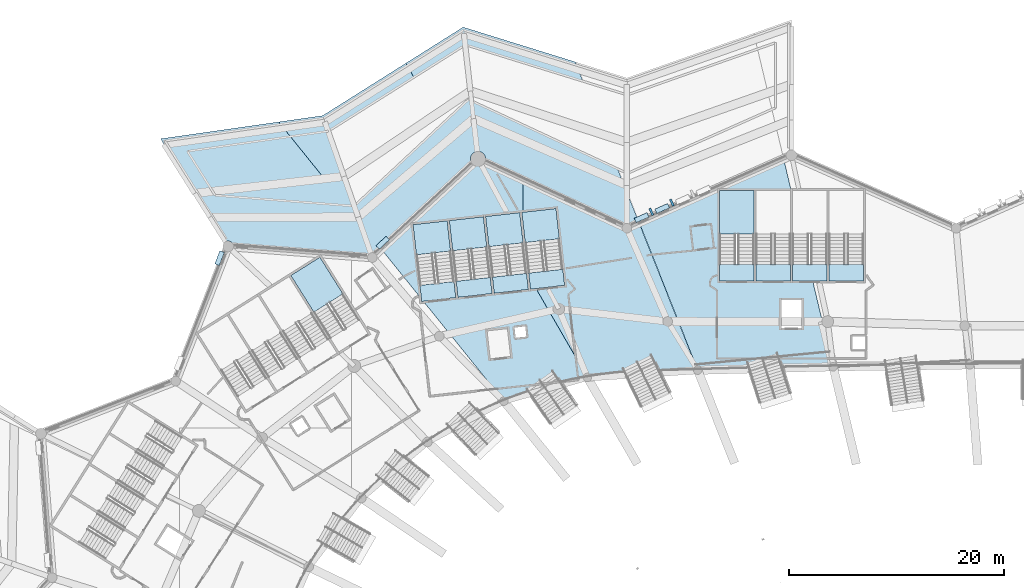
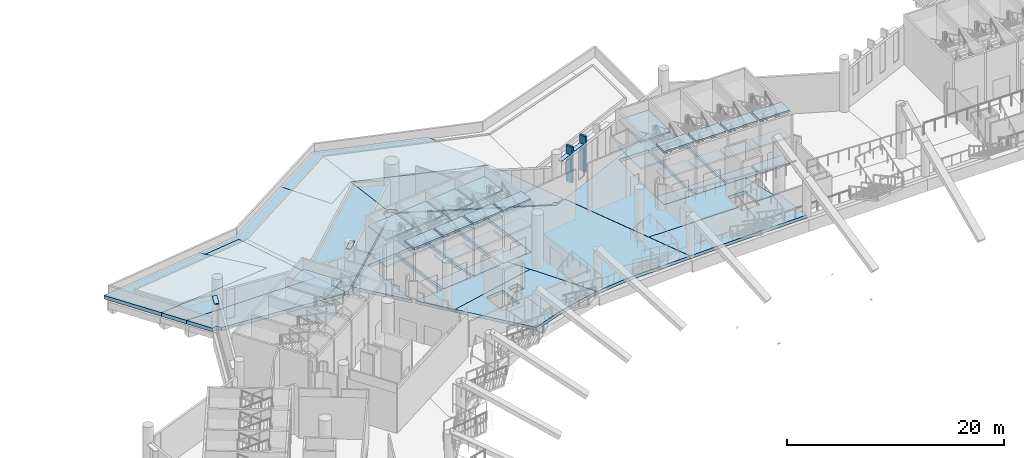
# One storey, part 35 of 173: 45 slabs, 6 plates, 9 elements without a shape of their own.
"""IFC4 building model written with IfcOpenShell, lengths in metres."""

from ifc_helpers import new_model, si_unit, direction, frame, origin, origin_2d, place, context, subcontext, project, spatial, polyline, rectangle, outline, extrude, material, layer, layer_set, type_object, element, aggregate, save


model = new_model("IFC4")

# Units and contexts
model_context = context("Model", 3, precision=1e-05, world=origin(), true_north=direction((0.0, 1.0)))
body_context = subcontext(model_context, "Body", "Model", "MODEL_VIEW")
ifc_project = project(units=[si_unit("LENGTHUNIT", "METRE"), si_unit("AREAUNIT", "SQUARE_METRE"), si_unit("VOLUMEUNIT", "CUBIC_METRE"), si_unit("PLANEANGLEUNIT", "RADIAN"), si_unit("MASSUNIT", "GRAM", prefix="KILO")], contexts=[model_context])

# Site, building, storey
site_placement = place(None, origin())
site = spatial("IfcSite", under=ifc_project, at=site_placement, CompositionType="ELEMENT")
building_placement = place(site_placement, origin())
building = spatial("IfcBuilding", under=site, at=building_placement, Name="Meseta Stadium", CompositionType="ELEMENT")
storey_placement = place(building_placement, frame((0.0, 0.0, 18.0)))
storey = spatial("IfcBuildingStorey", under=building, at=storey_placement, Name="L03", CompositionType="ELEMENT", Elevation=18.0)

# Slabs
ifc_material_1 = material(Name="Concrete C40/50", Category="concrete")
ifc_layer_1 = layer(ifc_material_1, 0.35009765625)
ifc_layer_set_1 = layer_set([ifc_layer_1], Name="Floor slab 350")
slab_type_1 = type_object("IfcSlabType", Name="Floor slab 350", PredefinedType="FLOOR", material=ifc_layer_set_1)
slab_1_placement = place(storey_placement, frame((0.0, 0.0, -0.35009765625)))
element("IfcSlab", 1, at=slab_1_placement, inside=storey, type_object=slab_type_1, Name="Floor slab L03 sector 14 panel 01", PredefinedType="FLOOR", context=body_context, shape_type="SweptSolid", body=[
    extrude(outline(polyline([(-23.732177734375, 105.0751953125), (-37.177001953125, 99.11279296875), (-33.525390625, 89.911376953125), (-23.949951171875, 89.906005859375), (-23.949951171875, 91.89990234375), (-22.050048828125, 91.89990234375), (-22.050048828125, 89.905029296875), (-20.1201171875, 89.904052734375), (-21.023681640625, 93.699951171875), (-22.89990234375, 93.699951171875), (-22.89990234375, 101.580078125), (-23.732177734375, 105.0751953125)]), holes=[polyline([(-26.5, 93.699951171875), (-29.699951171875, 93.699951171875), (-29.699951171875, 102.10009765625), (-26.5, 102.10009765625), (-26.5, 93.699951171875)]), polyline([(-26.300048828125, 93.699951171875), (-26.300048828125, 102.10009765625), (-23.10009765625, 102.10009765625), (-23.10009765625, 93.699951171875), (-26.300048828125, 93.699951171875)])]), origin(), (0.0, 0.0, 1.0), 0.35009765625),
])
slab_2_placement = place(storey_placement, frame((0.0, 0.0, -0.35009765625)))
element("IfcSlab", 2, at=slab_2_placement, inside=storey, type_object=slab_type_1, Name="Floor slab L03 sector 14 panel 02", PredefinedType="FLOOR", context=body_context, shape_type="SweptSolid", body=[
    extrude(outline(polyline([(-23.949951171875, 89.300048828125), (-23.949951171875, 89.906005859375), (-33.525390625, 89.911376953125), (-31.726318359375, 85.377197265625), (-29.643798828125, 85.43798828125), (-27.54638671875, 85.49658203125), (-25.445068359375, 85.55224609375), (-23.33984375, 85.6044921875), (-21.23095703125, 85.6533203125), (-19.11865234375, 85.6982421875), (-19.62744140625, 89.90380859375), (-22.050048828125, 89.905029296875), (-22.050048828125, 89.300048828125), (-23.949951171875, 89.300048828125)])), origin(), (0.0, 0.0, 1.0), 0.35009765625),
])
slab_3_placement = place(storey_placement, frame((0.0, 0.0, -0.35009765625)))
element("IfcSlab", 3, at=slab_3_placement, inside=storey, type_object=slab_type_1, Name="Floor slab L03 sector 21 panel 11", PredefinedType="FLOOR", context=body_context, shape_type="SweptSolid", body=[
    extrude(outline(polyline([(-46.7978515625, 92.98095703125), (-47.314208984375, 92.9228515625), (-48.1201171875, 100.077392578125), (-48.0, 100.091064453125), (-48.0, 103.0966796875), (-52.202880859375, 105.0517578125), (-61.21435546875, 96.653076171875), (-57.477294921875, 92.0224609375), (-58.256103515625, 98.935302734375), (-55.076171875, 99.293701171875), (-54.27001953125, 92.138916015625), (-57.296142578125, 91.798095703125), (-54.8447265625, 88.760498046875), (-45.585693359375, 90.8837890625), (-46.7978515625, 92.98095703125)]), holes=[polyline([(-50.692626953125, 92.5419921875), (-51.498779296875, 99.69677734375), (-48.319091796875, 100.05517578125), (-47.5126953125, 92.900390625), (-50.692626953125, 92.5419921875)]), polyline([(-54.87744140625, 99.316162109375), (-51.697509765625, 99.67431640625), (-50.8916015625, 92.519775390625), (-54.0712890625, 92.161376953125), (-54.87744140625, 99.316162109375)])]), origin(), (0.0, 0.0, 1.0), 0.35009765625),
])
slab_4_placement = place(storey_placement, frame((0.0, 0.0, -0.35009765625)))
element("IfcSlab", 4, at=slab_4_placement, inside=storey, type_object=slab_type_1, Name="Floor slab L03 sector 21 panel 12", PredefinedType="FLOOR", context=body_context, shape_type="SweptSolid", body=[
    extrude(outline(polyline([(-45.585693359375, 90.8837890625), (-54.8447265625, 88.760498046875), (-49.791015625, 82.498779296875), (-48.531494140625, 82.981201171875), (-47.255126953125, 83.418701171875), (-45.963623046875, 83.810302734375), (-44.658935546875, 84.156005859375), (-43.34228515625, 84.455078125), (-42.015380859375, 84.707275390625), (-45.585693359375, 90.8837890625)]), holes=[polyline([(-48.71337890625, 88.37255859375), (-48.825439453125, 89.3662109375), (-47.781982421875, 89.483642578125), (-47.669921875, 88.489990234375), (-48.71337890625, 88.37255859375)]), polyline([(-51.353759765625, 89.031005859375), (-49.4658203125, 89.24365234375), (-49.174560546875, 86.66015625), (-51.0625, 86.447265625), (-51.353759765625, 89.031005859375)])]), origin(), (0.0, 0.0, 1.0), 0.35009765625),
])
slab_5_placement = place(storey_placement, frame((0.0, 0.0, -0.35009765625)))
element("IfcSlab", 5, at=slab_5_placement, inside=storey, type_object=slab_type_1, Name="Floor slab L03 sector 21 panel 13", PredefinedType="FLOOR", context=body_context, shape_type="SweptSolid", body=[
    extrude(outline(polyline([(-46.7978515625, 92.98095703125), (-42.015380859375, 84.707275390625), (-40.68017578125, 84.912109375), (-39.337890625, 85.069580078125), (-37.989990234375, 85.17919921875), (-35.91015625, 85.2470703125), (-33.82568359375, 85.31298828125), (-31.74755859375, 85.37646484375), (-37.1953125, 99.104736328125), (-38.333251953125, 98.60009765625), (-48.0, 103.0966796875), (-48.0, 100.091064453125), (-44.9404296875, 100.435791015625), (-44.13427734375, 93.281005859375), (-46.7978515625, 92.98095703125)])), origin(), (0.0, 0.0, 1.0), 0.35009765625),
])

# Plates
ifc_material_2 = material(Name="White precast concrete C40/50", Category="concrete")
ifc_layer_2 = layer(ifc_material_2, 0.080078125)
ifc_layer_set_2 = layer_set([ifc_layer_2], Name="Louvre hood 1300x450")
plate_type_1 = type_object("IfcPlateType", Name="Louvre hood 1300x450", PredefinedType="USERDEFINED", material=ifc_layer_set_2)
for number, where, z_axis, x_axis, name in (
    (6, (-36.966796875, 99.5888671875, 4.25), (0.0, 0.0, 1.0), (-0.914139046248, -0.40540079443, 0.0), "Louvre hood L03 F20"),
    (7, (-35.047119140625, 100.440185546875, 4.25), (0.0, 0.0, 1.0), (-0.914139046248, -0.40540079443, 0.0), "Louvre hood L03 F20"),
    (8, (-61.083251953125, 97.253662109375, 4.25), (0.0, 0.0, 1.0), (-0.731544959663, -0.681793203245, 0.0), "Louvre hood L03 F22"),
    (9, (-76.277587890625, 95.8125, 4.25), (0.0, 0.0, 1.0), (-0.363280249803, -0.931679912901, 0.0), "Louvre hood L03 F24"),
):
    element("IfcPlate", number, at=place(storey_placement, frame(where, z_axis=z_axis, x_axis=x_axis)), inside=storey, type_object=plate_type_1, Name=name, ObjectType="LOUVRE", PredefinedType="USERDEFINED", context=body_context, shape_type="SweptSolid", body=[
        extrude(rectangle(XDim=1.300048828125, YDim=0.449951171875, at=origin_2d()), origin(), (0.0, 0.0, 1.0), 0.080078125),
    ])
ifc_material_3 = material(Name="Precast concrete C40/50, terracotta pigment", Category="masonry")
ifc_layer_3 = layer(ifc_material_3, 0.199951171875)
ifc_layer_set_3 = layer_set([ifc_layer_3], Name="Precast concrete C40/50, terracotta pigment")
plate_type_2 = type_object("IfcPlateType", Name="Precast fin 200x700", PredefinedType="USERDEFINED", material=ifc_layer_set_3)
for number, where, z_axis, x_axis, name in (
    (10, (-36.0576171875, 100.12890625, 0.9501953125), (0.0, 0.0, 1.0), (0.914139367606, 0.405400069798, 0.0), "Precast fin L03 F20.1"),
    (11, (-34.137939453125, 100.97998046875, 0.9501953125), (0.0, 0.0, 1.0), (0.914139367606, 0.405400069798, 0.0), "Precast fin L03 F20.2"),
):
    element("IfcPlate", number, at=place(storey_placement, frame(where, z_axis=z_axis, x_axis=x_axis)), inside=storey, type_object=plate_type_2, Name=name, ObjectType="FIN", PredefinedType="USERDEFINED", context=body_context, shape_type="SweptSolid", body=[
        extrude(rectangle(XDim=0.199951171875, YDim=0.699951171875, at=origin_2d()), origin(), (0.0, 0.0, 1.0), 4.050048828125),
    ])

# Slabs
ifc_material_4 = material(Name="Concrete C40/50", Category="concrete")
ifc_layer_4 = layer(ifc_material_4, 0.39990234375)
ifc_layer_set_4 = layer_set([ifc_layer_4], Name="Roof garden slab 400")
slab_type_2 = type_object("IfcSlabType", Name="Roof garden slab 400", PredefinedType="ROOF", material=ifc_layer_set_4)
slab_6_placement = place(storey_placement, frame((0.0, 0.0, -0.39990234375)))
element("IfcSlab", 12, at=slab_6_placement, inside=storey, type_object=slab_type_2, Name="Roof garden slab 3 part 1 panel 01", PredefinedType="ROOF", context=body_context, shape_type="SweptSolid", body=[
    extrude(outline(polyline([(-78.580810546875, 101.851806640625), (-66.512451171875, 103.218017578125), (-70.776611328125, 108.501708984375), (-81.77294921875, 106.93212890625), (-78.580810546875, 101.851806640625)])), origin(), (0.0, 0.0, 1.0), 0.39990234375),
])
slab_7_placement = place(storey_placement, frame((0.0, 0.0, -0.39990234375)))
element("IfcSlab", 13, at=slab_7_placement, inside=storey, type_object=slab_type_2, Name="Roof garden slab 3 part 1 panel 02", PredefinedType="ROOF", context=body_context, shape_type="SweptSolid", body=[
    extrude(outline(polyline([(-77.187255859375, 99.63427734375), (-63.372802734375, 99.648193359375), (-66.477294921875, 108.520751953125), (-70.35400390625, 107.97802734375), (-66.512451171875, 103.218017578125), (-78.580810546875, 101.851806640625), (-77.187255859375, 99.63427734375)])), origin(), (0.0, 0.0, 1.0), 0.39990234375),
])
slab_8_placement = place(storey_placement, frame((0.0, 0.0, -0.39990234375)))
element("IfcSlab", 14, at=slab_8_placement, inside=storey, type_object=slab_type_2, Name="Roof garden slab 3 part 1 panel 03", PredefinedType="ROOF", context=body_context, shape_type="SweptSolid", body=[
    extrude(outline(polyline([(-62.278564453125, 96.265869140625), (-62.200439453125, 96.298095703125), (-63.372802734375, 99.648193359375), (-77.187255859375, 99.63427734375), (-75.74169921875, 97.333740234375), (-75.726806640625, 97.34521484375), (-75.60498046875, 97.395751953125), (-75.474609375, 97.412841796875), (-75.343994140625, 97.395751953125), (-75.222412109375, 97.34521484375), (-75.117919921875, 97.26513671875), (-75.037841796875, 97.16064453125), (-74.9873046875, 97.0390625), (-74.985107421875, 97.021240234375), (-62.463134765625, 96.054931640625), (-62.444580078125, 96.099609375), (-62.37255859375, 96.193603515625), (-62.278564453125, 96.265869140625)])), origin(), (0.0, 0.0, 1.0), 0.39990234375),
])
slab_9_placement = place(storey_placement, frame((0.0, 0.0, -0.39990234375)))
element("IfcSlab", 15, at=slab_9_placement, inside=storey, type_object=slab_type_2, Name="Roof garden slab 3 part 1 panel 04", PredefinedType="ROOF", context=body_context, shape_type="SweptSolid", body=[
    extrude(outline(polyline([(-62.1689453125, 96.31103515625), (-62.051513671875, 96.32666015625), (-61.93408203125, 96.31103515625), (-61.842041015625, 96.27294921875), (-52.80908203125, 104.69189453125), (-52.814208984375, 104.698486328125), (-52.884765625, 104.868896484375), (-52.908935546875, 105.0517578125), (-52.884765625, 105.234375), (-52.814208984375, 105.40478515625), (-52.7021484375, 105.55078125), (-52.555908203125, 105.6630859375), (-52.385498046875, 105.733642578125), (-52.28125, 105.747314453125), (-52.9150390625, 111.372314453125), (-56.162109375, 109.18115234375), (-58.92919921875, 113.96826171875), (-66.675537109375, 109.087158203125), (-70.776611328125, 108.501708984375), (-70.35400390625, 107.97802734375), (-66.477294921875, 108.520751953125), (-62.200439453125, 96.298095703125), (-62.1689453125, 96.31103515625)])), origin(), (0.0, 0.0, 1.0), 0.39990234375),
])
slab_10_placement = place(storey_placement, frame((0.0, 0.0, -0.39990234375)))
element("IfcSlab", 16, at=slab_10_placement, inside=storey, type_object=slab_type_2, Name="Roof garden slab 3 part 1 panel 05", PredefinedType="ROOF", context=body_context, shape_type="SweptSolid", body=[
    extrude(outline(polyline([(-43.142822265625, 114.093017578125), (-53.5869140625, 117.334716796875), (-58.92919921875, 113.96826171875), (-56.162109375, 109.18115234375), (-52.9150390625, 111.372314453125), (-40.443603515625, 107.290771484375), (-43.142822265625, 114.093017578125)])), origin(), (0.0, 0.0, 1.0), 0.39990234375),
])
slab_11_placement = place(storey_placement, frame((0.0, 0.0, -0.39990234375)))
element("IfcSlab", 17, at=slab_11_placement, inside=storey, type_object=slab_type_2, Name="Roof garden slab 3 part 1 panel 06", PredefinedType="ROOF", context=body_context, shape_type="SweptSolid", body=[
    extrude(outline(polyline([(-37.25048828125, 99.244384765625), (-40.439208984375, 107.279541015625), (-40.440185546875, 107.279052734375), (-40.44140625, 107.27880859375), (-40.442626953125, 107.27880859375), (-40.44384765625, 107.27880859375), (-40.44482421875, 107.27880859375), (-40.446044921875, 107.279052734375), (-40.447265625, 107.279296875), (-52.9130859375, 111.359130859375), (-52.91357421875, 111.35888671875), (-52.28125, 105.747314453125), (-52.202880859375, 105.7578125), (-52.02001953125, 105.733642578125), (-51.849853515625, 105.6630859375), (-51.70361328125, 105.55078125), (-51.59130859375, 105.40478515625), (-51.520751953125, 105.234375), (-51.496826171875, 105.0517578125), (-51.51708984375, 104.898193359375), (-38.65771484375, 98.91650390625), (-38.654296875, 98.9208984375), (-38.560302734375, 98.9931640625), (-38.45068359375, 99.038330078125), (-38.333251953125, 99.053955078125), (-38.2158203125, 99.038330078125), (-38.1064453125, 98.9931640625), (-38.012451171875, 98.9208984375), (-38.004150390625, 98.91015625), (-37.25048828125, 99.244384765625)])), origin(), (0.0, 0.0, 1.0), 0.39990234375),
])

# Stair, slabs
ifc_material_5 = material(Name="Concrete C40/50", Category="concrete")
stair_type = type_object("IfcStairType", Name="Exit stair 4 flights 150 mm risers", PredefinedType="HALF_TURN_STAIR", material=ifc_material_5)
stair_1_placement = place(storey_placement, origin())
stair_1 = element("IfcStair", 18, at=stair_1_placement, inside=storey, type_object=stair_type, Name="ST41 L03", PredefinedType="HALF_TURN_STAIR")
ifc_material_6 = material(Name="Concrete C40/50", Category="concrete")
ifc_layer_5 = layer(ifc_material_6, 0.199951171875)
ifc_layer_set_5 = layer_set([ifc_layer_5], Name="Stair landing 200")
slab_type_3 = type_object("IfcSlabType", Name="Stair landing 200", PredefinedType="LANDING", material=ifc_layer_set_5)
slab_12_placement = place(storey_placement, frame((0.0, 0.0, 2.800048828125)))
slab_12 = element("IfcSlab", 19, at=slab_12_placement, type_object=slab_type_3, Name="ST41 L03 landing 2", PredefinedType="LANDING", context=body_context, shape_type="SweptSolid", body=[
    extrude(outline(polyline([(-16.300048828125, 93.699951171875), (-16.300048828125, 95.2099609375), (-19.5, 95.2099609375), (-19.5, 93.699951171875), (-16.300048828125, 93.699951171875)])), origin(), (0.0, 0.0, 1.0), 0.199951171875),
])
slab_13_placement = place(storey_placement, frame((0.0, 0.0, -0.199951171875)))
slab_13 = element("IfcSlab", 20, at=slab_13_placement, type_object=slab_type_3, Name="ST41 L03 landing 4", PredefinedType="LANDING", context=body_context, shape_type="SweptSolid", body=[
    extrude(outline(polyline([(-16.300048828125, 93.699951171875), (-16.300048828125, 95.2099609375), (-19.5, 95.2099609375), (-19.5, 93.699951171875), (-16.300048828125, 93.699951171875)])), origin(), (0.0, 0.0, 1.0), 0.199951171875),
])
slab_14_placement = place(storey_placement, frame((0.0, 0.0, 5.800048828125)))
slab_14 = element("IfcSlab", 21, at=slab_14_placement, type_object=slab_type_3, Name="ST41 L03 landing 5", PredefinedType="LANDING", context=body_context, shape_type="SweptSolid", body=[
    extrude(outline(polyline([(-16.300048828125, 93.699951171875), (-16.300048828125, 95.2099609375), (-19.5, 95.2099609375), (-19.5, 93.699951171875), (-16.300048828125, 93.699951171875)])), origin(), (0.0, 0.0, 1.0), 0.199951171875),
])
aggregate(stair_1, [slab_12, slab_13, slab_14])

stair_2_placement = place(storey_placement, origin())
stair_2 = element("IfcStair", 22, at=stair_2_placement, inside=storey, type_object=stair_type, Name="ST42 L03", PredefinedType="HALF_TURN_STAIR")
slab_15_placement = place(storey_placement, frame((0.0, 0.0, 2.800048828125)))
slab_15 = element("IfcSlab", 23, at=slab_15_placement, type_object=slab_type_3, Name="ST42 L03 landing 2", PredefinedType="LANDING", context=body_context, shape_type="SweptSolid", body=[
    extrude(outline(polyline([(-19.699951171875, 93.699951171875), (-19.699951171875, 95.2099609375), (-22.89990234375, 95.2099609375), (-22.89990234375, 93.699951171875), (-19.699951171875, 93.699951171875)])), origin(), (0.0, 0.0, 1.0), 0.199951171875),
])
slab_16_placement = place(storey_placement, frame((0.0, 0.0, -0.199951171875)))
slab_16 = element("IfcSlab", 24, at=slab_16_placement, type_object=slab_type_3, Name="ST42 L03 landing 4", PredefinedType="LANDING", context=body_context, shape_type="SweptSolid", body=[
    extrude(outline(polyline([(-19.699951171875, 93.699951171875), (-19.699951171875, 95.2099609375), (-22.89990234375, 95.2099609375), (-22.89990234375, 93.699951171875), (-19.699951171875, 93.699951171875)])), origin(), (0.0, 0.0, 1.0), 0.199951171875),
])
slab_17_placement = place(storey_placement, frame((0.0, 0.0, 5.800048828125)))
slab_17 = element("IfcSlab", 25, at=slab_17_placement, type_object=slab_type_3, Name="ST42 L03 landing 5", PredefinedType="LANDING", context=body_context, shape_type="SweptSolid", body=[
    extrude(outline(polyline([(-19.699951171875, 93.699951171875), (-19.699951171875, 95.2099609375), (-22.89990234375, 95.2099609375), (-22.89990234375, 93.699951171875), (-19.699951171875, 93.699951171875)])), origin(), (0.0, 0.0, 1.0), 0.199951171875),
])
aggregate(stair_2, [slab_15, slab_16, slab_17])

stair_3_placement = place(storey_placement, origin())
stair_3 = element("IfcStair", 26, at=stair_3_placement, inside=storey, type_object=stair_type, Name="ST43 L03", PredefinedType="HALF_TURN_STAIR")
slab_18_placement = place(storey_placement, frame((0.0, 0.0, 2.800048828125)))
slab_18 = element("IfcSlab", 27, at=slab_18_placement, type_object=slab_type_3, Name="ST43 L03 landing 2", PredefinedType="LANDING", context=body_context, shape_type="SweptSolid", body=[
    extrude(outline(polyline([(-23.10009765625, 93.699951171875), (-23.10009765625, 95.2099609375), (-26.300048828125, 95.2099609375), (-26.300048828125, 93.699951171875), (-23.10009765625, 93.699951171875)])), origin(), (0.0, 0.0, 1.0), 0.199951171875),
])
slab_19_placement = place(storey_placement, frame((0.0, 0.0, -0.199951171875)))
slab_19 = element("IfcSlab", 28, at=slab_19_placement, type_object=slab_type_3, Name="ST43 L03 landing 4", PredefinedType="LANDING", context=body_context, shape_type="SweptSolid", body=[
    extrude(outline(polyline([(-23.10009765625, 93.699951171875), (-23.10009765625, 95.2099609375), (-26.300048828125, 95.2099609375), (-26.300048828125, 93.699951171875), (-23.10009765625, 93.699951171875)])), origin(), (0.0, 0.0, 1.0), 0.199951171875),
])
slab_20_placement = place(storey_placement, frame((0.0, 0.0, 5.800048828125)))
slab_20 = element("IfcSlab", 29, at=slab_20_placement, type_object=slab_type_3, Name="ST43 L03 landing 5", PredefinedType="LANDING", context=body_context, shape_type="SweptSolid", body=[
    extrude(outline(polyline([(-23.10009765625, 93.699951171875), (-23.10009765625, 95.2099609375), (-26.300048828125, 95.2099609375), (-26.300048828125, 93.699951171875), (-23.10009765625, 93.699951171875)])), origin(), (0.0, 0.0, 1.0), 0.199951171875),
])
aggregate(stair_3, [slab_18, slab_19, slab_20])

stair_4_placement = place(storey_placement, origin())
stair_4 = element("IfcStair", 30, at=stair_4_placement, inside=storey, type_object=stair_type, Name="ST44 L03", PredefinedType="HALF_TURN_STAIR")
slab_21_placement = place(storey_placement, frame((0.0, 0.0, 1.300048828125)))
slab_21 = element("IfcSlab", 31, at=slab_21_placement, type_object=slab_type_3, Name="ST44 L03 landing 1", PredefinedType="LANDING", context=body_context, shape_type="SweptSolid", body=[
    extrude(outline(polyline([(-26.5, 98.070068359375), (-26.5, 102.10009765625), (-29.699951171875, 102.10009765625), (-29.699951171875, 98.070068359375), (-26.5, 98.070068359375)])), origin(), (0.0, 0.0, 1.0), 0.199951171875),
])
slab_22_placement = place(storey_placement, frame((0.0, 0.0, 2.800048828125)))
slab_22 = element("IfcSlab", 32, at=slab_22_placement, type_object=slab_type_3, Name="ST44 L03 landing 2", PredefinedType="LANDING", context=body_context, shape_type="SweptSolid", body=[
    extrude(outline(polyline([(-26.5, 93.699951171875), (-26.5, 95.2099609375), (-29.699951171875, 95.2099609375), (-29.699951171875, 93.699951171875), (-26.5, 93.699951171875)])), origin(), (0.0, 0.0, 1.0), 0.199951171875),
])
slab_23_placement = place(storey_placement, frame((0.0, 0.0, 4.300048828125)))
slab_23 = element("IfcSlab", 33, at=slab_23_placement, type_object=slab_type_3, Name="ST44 L03 landing 3", PredefinedType="LANDING", context=body_context, shape_type="SweptSolid", body=[
    extrude(outline(polyline([(-26.5, 98.070068359375), (-26.5, 102.10009765625), (-29.699951171875, 102.10009765625), (-29.699951171875, 98.070068359375), (-26.5, 98.070068359375)])), origin(), (0.0, 0.0, 1.0), 0.199951171875),
])
slab_24_placement = place(storey_placement, frame((0.0, 0.0, -0.199951171875)))
slab_24 = element("IfcSlab", 34, at=slab_24_placement, type_object=slab_type_3, Name="ST44 L03 landing 4", PredefinedType="LANDING", context=body_context, shape_type="SweptSolid", body=[
    extrude(outline(polyline([(-26.5, 93.699951171875), (-26.5, 95.2099609375), (-29.699951171875, 95.2099609375), (-29.699951171875, 93.699951171875), (-26.5, 93.699951171875)])), origin(), (0.0, 0.0, 1.0), 0.199951171875),
])
slab_25_placement = place(storey_placement, frame((0.0, 0.0, 5.800048828125)))
slab_25 = element("IfcSlab", 35, at=slab_25_placement, type_object=slab_type_3, Name="ST44 L03 landing 5", PredefinedType="LANDING", context=body_context, shape_type="SweptSolid", body=[
    extrude(outline(polyline([(-26.5, 93.699951171875), (-26.5, 95.2099609375), (-29.699951171875, 95.2099609375), (-29.699951171875, 93.699951171875), (-26.5, 93.699951171875)])), origin(), (0.0, 0.0, 1.0), 0.199951171875),
])
aggregate(stair_4, [slab_21, slab_22, slab_23, slab_24, slab_25])

stair_5_placement = place(storey_placement, origin())
stair_5 = element("IfcStair", 36, at=stair_5_placement, inside=storey, type_object=stair_type, Name="ST45 L03", PredefinedType="HALF_TURN_STAIR")
slab_26_placement = place(storey_placement, frame((0.0, 0.0, 1.300048828125)))
slab_26 = element("IfcSlab", 37, at=slab_26_placement, type_object=slab_type_3, Name="ST45 L03 landing 1", PredefinedType="LANDING", context=body_context, shape_type="SweptSolid", body=[
    extrude(outline(polyline([(-44.62353515625, 97.62353515625), (-44.9404296875, 100.435791015625), (-48.1201171875, 100.077392578125), (-47.803466796875, 97.265380859375), (-44.62353515625, 97.62353515625)])), origin(), (0.0, 0.0, 1.0), 0.199951171875),
])
slab_27_placement = place(storey_placement, frame((0.0, 0.0, 2.800048828125)))
slab_27 = element("IfcSlab", 38, at=slab_27_placement, type_object=slab_type_3, Name="ST45 L03 landing 2", PredefinedType="LANDING", context=body_context, shape_type="SweptSolid", body=[
    extrude(outline(polyline([(-44.13427734375, 93.281005859375), (-44.30322265625, 94.781494140625), (-47.483154296875, 94.42333984375), (-47.314208984375, 92.9228515625), (-44.13427734375, 93.281005859375)])), origin(), (0.0, 0.0, 1.0), 0.199951171875),
])
slab_28_placement = place(storey_placement, frame((0.0, 0.0, 4.300048828125)))
slab_28 = element("IfcSlab", 39, at=slab_28_placement, type_object=slab_type_3, Name="ST45 L03 landing 3", PredefinedType="LANDING", context=body_context, shape_type="SweptSolid", body=[
    extrude(outline(polyline([(-44.62353515625, 97.62353515625), (-44.9404296875, 100.435791015625), (-48.1201171875, 100.077392578125), (-47.803466796875, 97.265380859375), (-44.62353515625, 97.62353515625)])), origin(), (0.0, 0.0, 1.0), 0.199951171875),
])
slab_29_placement = place(storey_placement, frame((0.0, 0.0, -0.199951171875)))
slab_29 = element("IfcSlab", 40, at=slab_29_placement, type_object=slab_type_3, Name="ST45 L03 landing 4", PredefinedType="LANDING", context=body_context, shape_type="SweptSolid", body=[
    extrude(outline(polyline([(-44.13427734375, 93.281005859375), (-44.30322265625, 94.781494140625), (-47.483154296875, 94.42333984375), (-47.314208984375, 92.9228515625), (-44.13427734375, 93.281005859375)])), origin(), (0.0, 0.0, 1.0), 0.199951171875),
])
slab_30_placement = place(storey_placement, frame((0.0, 0.0, 5.800048828125)))
slab_30 = element("IfcSlab", 41, at=slab_30_placement, type_object=slab_type_3, Name="ST45 L03 landing 5", PredefinedType="LANDING", context=body_context, shape_type="SweptSolid", body=[
    extrude(outline(polyline([(-44.13427734375, 93.281005859375), (-44.30322265625, 94.781494140625), (-47.483154296875, 94.42333984375), (-47.314208984375, 92.9228515625), (-44.13427734375, 93.281005859375)])), origin(), (0.0, 0.0, 1.0), 0.199951171875),
])
aggregate(stair_5, [slab_26, slab_27, slab_28, slab_29, slab_30])

stair_6_placement = place(storey_placement, origin())
stair_6 = element("IfcStair", 42, at=stair_6_placement, inside=storey, type_object=stair_type, Name="ST46 L03", PredefinedType="HALF_TURN_STAIR")
slab_31_placement = place(storey_placement, frame((0.0, 0.0, 1.300048828125)))
slab_31 = element("IfcSlab", 43, at=slab_31_placement, type_object=slab_type_3, Name="ST46 L03 landing 1", PredefinedType="LANDING", context=body_context, shape_type="SweptSolid", body=[
    extrude(outline(polyline([(-48.002197265625, 97.242919921875), (-48.319091796875, 100.05517578125), (-51.498779296875, 99.69677734375), (-51.181884765625, 96.884521484375), (-48.002197265625, 97.242919921875)])), origin(), (0.0, 0.0, 1.0), 0.199951171875),
])
slab_32_placement = place(storey_placement, frame((0.0, 0.0, 2.800048828125)))
slab_32 = element("IfcSlab", 44, at=slab_32_placement, type_object=slab_type_3, Name="ST46 L03 landing 2", PredefinedType="LANDING", context=body_context, shape_type="SweptSolid", body=[
    extrude(outline(polyline([(-47.512939453125, 92.900390625), (-47.681884765625, 94.40087890625), (-50.86181640625, 94.04248046875), (-50.692626953125, 92.5419921875), (-47.512939453125, 92.900390625)])), origin(), (0.0, 0.0, 1.0), 0.199951171875),
])
slab_33_placement = place(storey_placement, frame((0.0, 0.0, 4.300048828125)))
slab_33 = element("IfcSlab", 45, at=slab_33_placement, type_object=slab_type_3, Name="ST46 L03 landing 3", PredefinedType="LANDING", context=body_context, shape_type="SweptSolid", body=[
    extrude(outline(polyline([(-48.002197265625, 97.242919921875), (-48.319091796875, 100.05517578125), (-51.498779296875, 99.69677734375), (-51.181884765625, 96.884521484375), (-48.002197265625, 97.242919921875)])), origin(), (0.0, 0.0, 1.0), 0.199951171875),
])
slab_34_placement = place(storey_placement, frame((0.0, 0.0, -0.199951171875)))
slab_34 = element("IfcSlab", 46, at=slab_34_placement, type_object=slab_type_3, Name="ST46 L03 landing 4", PredefinedType="LANDING", context=body_context, shape_type="SweptSolid", body=[
    extrude(outline(polyline([(-47.512939453125, 92.900390625), (-47.681884765625, 94.40087890625), (-50.86181640625, 94.04248046875), (-50.692626953125, 92.5419921875), (-47.512939453125, 92.900390625)])), origin(), (0.0, 0.0, 1.0), 0.199951171875),
])
slab_35_placement = place(storey_placement, frame((0.0, 0.0, 5.800048828125)))
slab_35 = element("IfcSlab", 47, at=slab_35_placement, type_object=slab_type_3, Name="ST46 L03 landing 5", PredefinedType="LANDING", context=body_context, shape_type="SweptSolid", body=[
    extrude(outline(polyline([(-47.512939453125, 92.900390625), (-47.681884765625, 94.40087890625), (-50.86181640625, 94.04248046875), (-50.692626953125, 92.5419921875), (-47.512939453125, 92.900390625)])), origin(), (0.0, 0.0, 1.0), 0.199951171875),
])
aggregate(stair_6, [slab_31, slab_32, slab_33, slab_34, slab_35])

stair_7_placement = place(storey_placement, origin())
stair_7 = element("IfcStair", 48, at=stair_7_placement, inside=storey, type_object=stair_type, Name="ST47 L03", PredefinedType="HALF_TURN_STAIR")
slab_36_placement = place(storey_placement, frame((0.0, 0.0, 1.300048828125)))
slab_36 = element("IfcSlab", 49, at=slab_36_placement, type_object=slab_type_3, Name="ST47 L03 landing 1", PredefinedType="LANDING", context=body_context, shape_type="SweptSolid", body=[
    extrude(outline(polyline([(-51.380615234375, 96.8623046875), (-51.697509765625, 99.67431640625), (-54.87744140625, 99.316162109375), (-54.560546875, 96.50390625), (-51.380615234375, 96.8623046875)])), origin(), (0.0, 0.0, 1.0), 0.199951171875),
])
slab_37_placement = place(storey_placement, frame((0.0, 0.0, 2.800048828125)))
slab_37 = element("IfcSlab", 50, at=slab_37_placement, type_object=slab_type_3, Name="ST47 L03 landing 2", PredefinedType="LANDING", context=body_context, shape_type="SweptSolid", body=[
    extrude(outline(polyline([(-50.891357421875, 92.519775390625), (-51.060546875, 94.020263671875), (-54.240478515625, 93.661865234375), (-54.0712890625, 92.161376953125), (-50.891357421875, 92.519775390625)])), origin(), (0.0, 0.0, 1.0), 0.199951171875),
])
slab_38_placement = place(storey_placement, frame((0.0, 0.0, 4.300048828125)))
slab_38 = element("IfcSlab", 51, at=slab_38_placement, type_object=slab_type_3, Name="ST47 L03 landing 3", PredefinedType="LANDING", context=body_context, shape_type="SweptSolid", body=[
    extrude(outline(polyline([(-51.380615234375, 96.8623046875), (-51.697509765625, 99.67431640625), (-54.87744140625, 99.316162109375), (-54.560546875, 96.50390625), (-51.380615234375, 96.8623046875)])), origin(), (0.0, 0.0, 1.0), 0.199951171875),
])
slab_39_placement = place(storey_placement, frame((0.0, 0.0, -0.199951171875)))
slab_39 = element("IfcSlab", 52, at=slab_39_placement, type_object=slab_type_3, Name="ST47 L03 landing 4", PredefinedType="LANDING", context=body_context, shape_type="SweptSolid", body=[
    extrude(outline(polyline([(-50.891357421875, 92.519775390625), (-51.060546875, 94.020263671875), (-54.240478515625, 93.661865234375), (-54.0712890625, 92.161376953125), (-50.891357421875, 92.519775390625)])), origin(), (0.0, 0.0, 1.0), 0.199951171875),
])
slab_40_placement = place(storey_placement, frame((0.0, 0.0, 5.800048828125)))
slab_40 = element("IfcSlab", 53, at=slab_40_placement, type_object=slab_type_3, Name="ST47 L03 landing 5", PredefinedType="LANDING", context=body_context, shape_type="SweptSolid", body=[
    extrude(outline(polyline([(-50.891357421875, 92.519775390625), (-51.060546875, 94.020263671875), (-54.240478515625, 93.661865234375), (-54.0712890625, 92.161376953125), (-50.891357421875, 92.519775390625)])), origin(), (0.0, 0.0, 1.0), 0.199951171875),
])
aggregate(stair_7, [slab_36, slab_37, slab_38, slab_39, slab_40])

stair_8_placement = place(storey_placement, origin())
stair_8 = element("IfcStair", 54, at=stair_8_placement, inside=storey, type_object=stair_type, Name="ST48 L03", PredefinedType="HALF_TURN_STAIR")
slab_41_placement = place(storey_placement, frame((0.0, 0.0, 1.300048828125)))
slab_41 = element("IfcSlab", 55, at=slab_41_placement, type_object=slab_type_3, Name="ST48 L03 landing 1", PredefinedType="LANDING", context=body_context, shape_type="SweptSolid", body=[
    extrude(outline(polyline([(-54.75927734375, 96.4814453125), (-55.076171875, 99.293701171875), (-58.256103515625, 98.935546875), (-57.939208984375, 96.123291015625), (-54.75927734375, 96.4814453125)])), origin(), (0.0, 0.0, 1.0), 0.199951171875),
])
slab_42_placement = place(storey_placement, frame((0.0, 0.0, 4.300048828125)))
slab_42 = element("IfcSlab", 56, at=slab_42_placement, type_object=slab_type_3, Name="ST48 L03 landing 3", PredefinedType="LANDING", context=body_context, shape_type="SweptSolid", body=[
    extrude(outline(polyline([(-54.75927734375, 96.4814453125), (-55.076171875, 99.293701171875), (-58.256103515625, 98.935546875), (-57.939208984375, 96.123291015625), (-54.75927734375, 96.4814453125)])), origin(), (0.0, 0.0, 1.0), 0.199951171875),
])
slab_43_placement = place(storey_placement, frame((0.0, 0.0, 5.800048828125)))
slab_43 = element("IfcSlab", 57, at=slab_43_placement, type_object=slab_type_3, Name="ST48 L03 landing 5", PredefinedType="LANDING", context=body_context, shape_type="SweptSolid", body=[
    extrude(outline(polyline([(-54.27001953125, 92.138916015625), (-54.439208984375, 93.639404296875), (-57.618896484375, 93.28125), (-57.449951171875, 91.78076171875), (-54.27001953125, 92.138916015625)])), origin(), (0.0, 0.0, 1.0), 0.199951171875),
])
aggregate(stair_8, [slab_41, slab_42, slab_43])

stair_9_placement = place(storey_placement, origin())
stair_9 = element("IfcStair", 58, at=stair_9_placement, inside=storey, type_object=stair_type, Name="ST49 L03", PredefinedType="HALF_TURN_STAIR")
slab_44_placement = place(storey_placement, frame((0.0, 0.0, 1.300048828125)))
slab_44 = element("IfcSlab", 59, at=slab_44_placement, type_object=slab_type_3, Name="ST49 L03 landing 1", PredefinedType="LANDING", context=body_context, shape_type="SweptSolid", body=[
    extrude(outline(polyline([(-64.784423828125, 92.488525390625), (-66.928466796875, 95.90087890625), (-69.63818359375, 94.1982421875), (-67.493896484375, 90.7861328125), (-64.784423828125, 92.488525390625)])), origin(), (0.0, 0.0, 1.0), 0.199951171875),
])
slab_45_placement = place(storey_placement, frame((0.0, 0.0, 4.300048828125)))
slab_45 = element("IfcSlab", 60, at=slab_45_placement, type_object=slab_type_3, Name="ST49 L03 landing 3", PredefinedType="LANDING", context=body_context, shape_type="SweptSolid", body=[
    extrude(outline(polyline([(-64.784423828125, 92.488525390625), (-66.928466796875, 95.90087890625), (-69.63818359375, 94.1982421875), (-67.493896484375, 90.7861328125), (-64.784423828125, 92.488525390625)])), origin(), (0.0, 0.0, 1.0), 0.199951171875),
])
aggregate(stair_9, [slab_44, slab_45])

save(model, "model.ifc")
